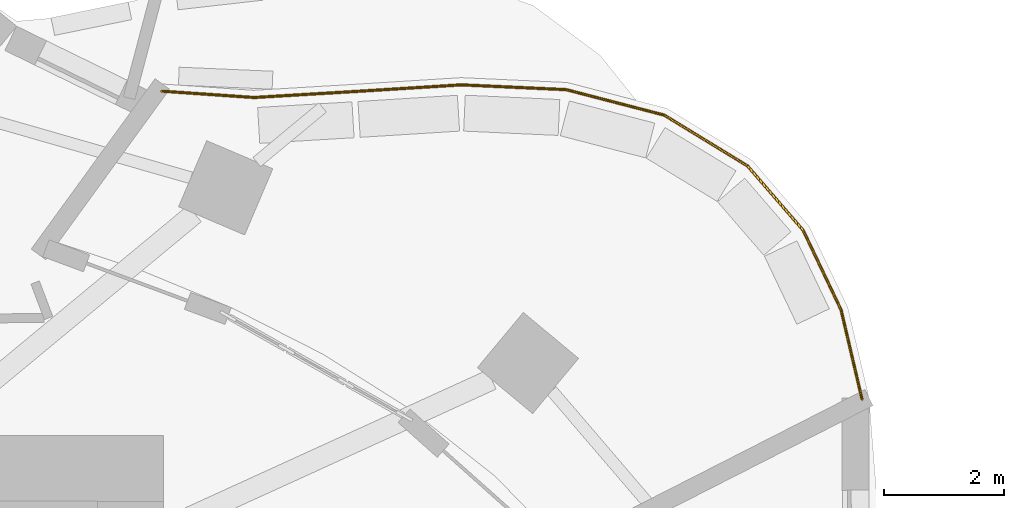
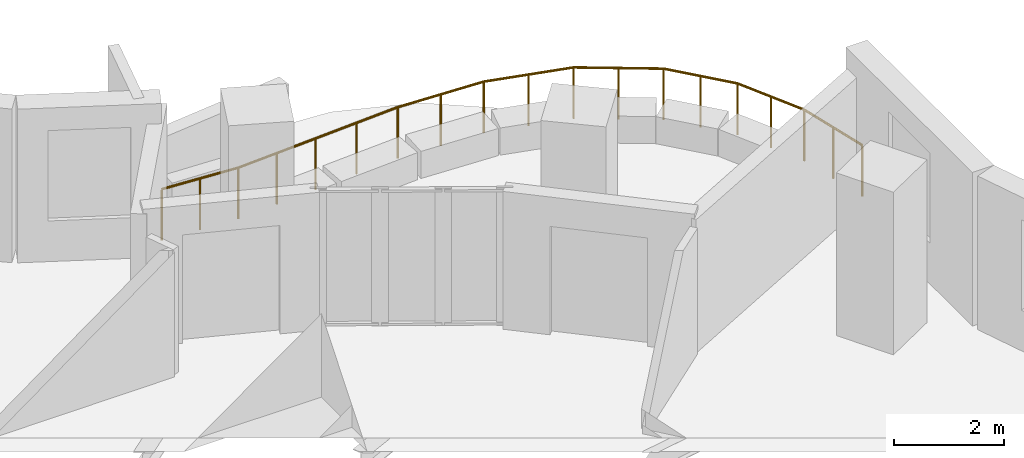
# One storey, part 14 of 14: 1 railing.
"""IFC4 building model written with IfcOpenShell, lengths in metres."""

from ifc_helpers import new_model, si_unit, direction, frame, origin, origin_2d, place, context, subcontext, project, spatial, circle, extrude, material, type_object, element, save


model = new_model("IFC4")

# Units and contexts
model_context = context("Model", 3, precision=1e-05, world=origin(), true_north=direction((0.0, 1.0)))
body_context = subcontext(model_context, "Body", "Model", "MODEL_VIEW")
ifc_project = project(units=[si_unit("LENGTHUNIT", "METRE"), si_unit("AREAUNIT", "SQUARE_METRE"), si_unit("VOLUMEUNIT", "CUBIC_METRE"), si_unit("PLANEANGLEUNIT", "RADIAN"), si_unit("MASSUNIT", "GRAM", prefix="KILO")], contexts=[model_context])

# Site, building, storey
site_placement = place(None, origin())
site = spatial("IfcSite", under=ifc_project, at=site_placement, CompositionType="ELEMENT")
building_placement = place(site_placement, origin())
building = spatial("IfcBuilding", under=site, at=building_placement, Name="Rubra Terraces Tower", CompositionType="ELEMENT")
storey_placement = place(building_placement, frame((0.0, 0.0, 103.199951171875)))
storey = spatial("IfcBuildingStorey", under=building, at=storey_placement, Name="L24", CompositionType="ELEMENT", Elevation=103.199951171875)

# Railing
ifc_material = material(Name="Steel, powder-coated dark grey", Category="steel")
railing_type = type_object("IfcRailingType", Name="Terrace guard 1150", PredefinedType="GUARDRAIL", material=ifc_material)
railing_placement = place(storey_placement, frame((24.672119140625, 12.603515625, 0.0)))
element("IfcRailing", 1, at=railing_placement, inside=storey, type_object=railing_type, Name="Terrace guard L24", PredefinedType="GUARDRAIL", context=body_context, shape_type="SweptSolid", body=[
    extrude(circle(Radius=0.02392578125, at=origin_2d()), frame((0.0, 0.0, 1.1259765625), z_axis=(-0.228240828648, 0.973604706304, 0.0), x_axis=(-0.973604706304, -0.228240828648, 0.0)), (0.0, 0.0, 1.0), 1.533935546875),
    extrude(circle(Radius=0.02392578125, at=origin_2d()), frame((-0.35009765625, 1.493408203125, 1.1259765625), z_axis=(-0.430216823715, 0.902725586539, 0.0), x_axis=(-0.902725586539, -0.430216823715, 0.0)), (0.0, 0.0, 1.0), 1.47216796875),
    extrude(circle(Radius=0.02392578125, at=origin_2d()), frame((-0.9833984375, 2.822265625, 1.1259765625), z_axis=(-0.653731779531, 0.756726344481, 0.0), x_axis=(-0.756726344481, -0.653731779531, 0.0)), (0.0, 0.0, 1.0), 1.419921875),
    extrude(circle(Radius=0.02392578125, at=origin_2d()), frame((-1.91162109375, 3.896728515625, 1.1259765625), z_axis=(-0.853573876173, 0.520971820654, 0.0), x_axis=(-0.520971820654, -0.853573876173, 0.0)), (0.0, 0.0, 1.0), 1.6318359375),
    extrude(circle(Radius=0.02392578125, at=origin_2d()), frame((-3.304443359375, 4.746826171875, 1.1259765625), z_axis=(-0.967895556903, 0.251352722141, 0.0), x_axis=(-0.251352722141, -0.967895556903, 0.0)), (0.0, 0.0, 1.0), 1.69189453125),
    extrude(circle(Radius=0.02392578125, at=origin_2d()), frame((-4.942138671875, 5.172119140625, 1.1259765625), z_axis=(-0.998958187149, 0.045634858689, 0.0), x_axis=(-0.045634858689, -0.998958187149, 0.0)), (0.0, 0.0, 1.0), 1.754638671875),
    extrude(circle(Radius=0.02392578125, at=origin_2d()), frame((-6.695068359375, 5.252197265625, 1.1259765625), z_axis=(-0.998053640268, -0.06236129527, 0.0), x_axis=(0.06236129527, -0.998053640268, 0.0)), (0.0, 0.0, 1.0), 1.7890625),
    extrude(circle(Radius=0.02392578125, at=origin_2d()), frame((-8.480712890625, 5.140625, 1.1259765625), z_axis=(-0.998228423463, -0.059498021742, 0.0), x_axis=(0.059498021742, -0.998228423463, 0.0)), (0.0, 0.0, 1.0), 1.67822265625),
    extrude(circle(Radius=0.02392578125, at=origin_2d()), frame((-10.156005859375, 5.040771484375, 1.1259765625), z_axis=(-0.997643034614, 0.068617603332, 0.0), x_axis=(-0.068617603332, -0.997643034614, 0.0)), (0.0, 0.0, 1.0), 1.544189453125),
    extrude(circle(Radius=0.02099609375, at=origin_2d()), origin(), (0.0, 0.0, 1.0), 1.101806640625),
    extrude(circle(Radius=0.02099609375, at=origin_2d()), frame((-0.175048828125, 0.74658203125, 0.0)), (0.0, 0.0, 1.0), 1.101806640625),
    extrude(circle(Radius=0.02099609375, at=origin_2d()), frame((-0.35009765625, 1.493408203125, 0.0)), (0.0, 0.0, 1.0), 1.101806640625),
    extrude(circle(Radius=0.02099609375, at=origin_2d()), frame((-0.666748046875, 2.15771484375, 0.0)), (0.0, 0.0, 1.0), 1.101806640625),
    extrude(circle(Radius=0.02099609375, at=origin_2d()), frame((-0.9833984375, 2.822265625, 0.0)), (0.0, 0.0, 1.0), 1.101806640625),
    extrude(circle(Radius=0.02099609375, at=origin_2d()), frame((-1.447509765625, 3.359375, 0.0)), (0.0, 0.0, 1.0), 1.101806640625),
    extrude(circle(Radius=0.02099609375, at=origin_2d()), frame((-1.91162109375, 3.896728515625, 0.0)), (0.0, 0.0, 1.0), 1.101806640625),
    extrude(circle(Radius=0.02099609375, at=origin_2d()), frame((-2.60791015625, 4.32177734375, 0.0)), (0.0, 0.0, 1.0), 1.101806640625),
    extrude(circle(Radius=0.02099609375, at=origin_2d()), frame((-3.304443359375, 4.746826171875, 0.0)), (0.0, 0.0, 1.0), 1.101806640625),
    extrude(circle(Radius=0.02099609375, at=origin_2d()), frame((-4.123291015625, 4.95947265625, 0.0)), (0.0, 0.0, 1.0), 1.101806640625),
    extrude(circle(Radius=0.02099609375, at=origin_2d()), frame((-4.942138671875, 5.172119140625, 0.0)), (0.0, 0.0, 1.0), 1.101806640625),
    extrude(circle(Radius=0.02099609375, at=origin_2d()), frame((-5.818603515625, 5.212158203125, 0.0)), (0.0, 0.0, 1.0), 1.101806640625),
    extrude(circle(Radius=0.02099609375, at=origin_2d()), frame((-6.695068359375, 5.252197265625, 0.0)), (0.0, 0.0, 1.0), 1.101806640625),
    extrude(circle(Radius=0.02099609375, at=origin_2d()), frame((-7.587890625, 5.1962890625, 0.0)), (0.0, 0.0, 1.0), 1.101806640625),
    extrude(circle(Radius=0.02099609375, at=origin_2d()), frame((-8.480712890625, 5.140625, 0.0)), (0.0, 0.0, 1.0), 1.101806640625),
    extrude(circle(Radius=0.02099609375, at=origin_2d()), frame((-9.318359375, 5.0908203125, 0.0)), (0.0, 0.0, 1.0), 1.101806640625),
    extrude(circle(Radius=0.02099609375, at=origin_2d()), frame((-10.156005859375, 5.040771484375, 0.0)), (0.0, 0.0, 1.0), 1.101806640625),
    extrude(circle(Radius=0.02099609375, at=origin_2d()), frame((-10.92626953125, 5.09375, 0.0)), (0.0, 0.0, 1.0), 1.101806640625),
    extrude(circle(Radius=0.02099609375, at=origin_2d()), frame((-11.696533203125, 5.146728515625, 0.0)), (0.0, 0.0, 1.0), 1.101806640625),
])

save(model, "model.ifc")
